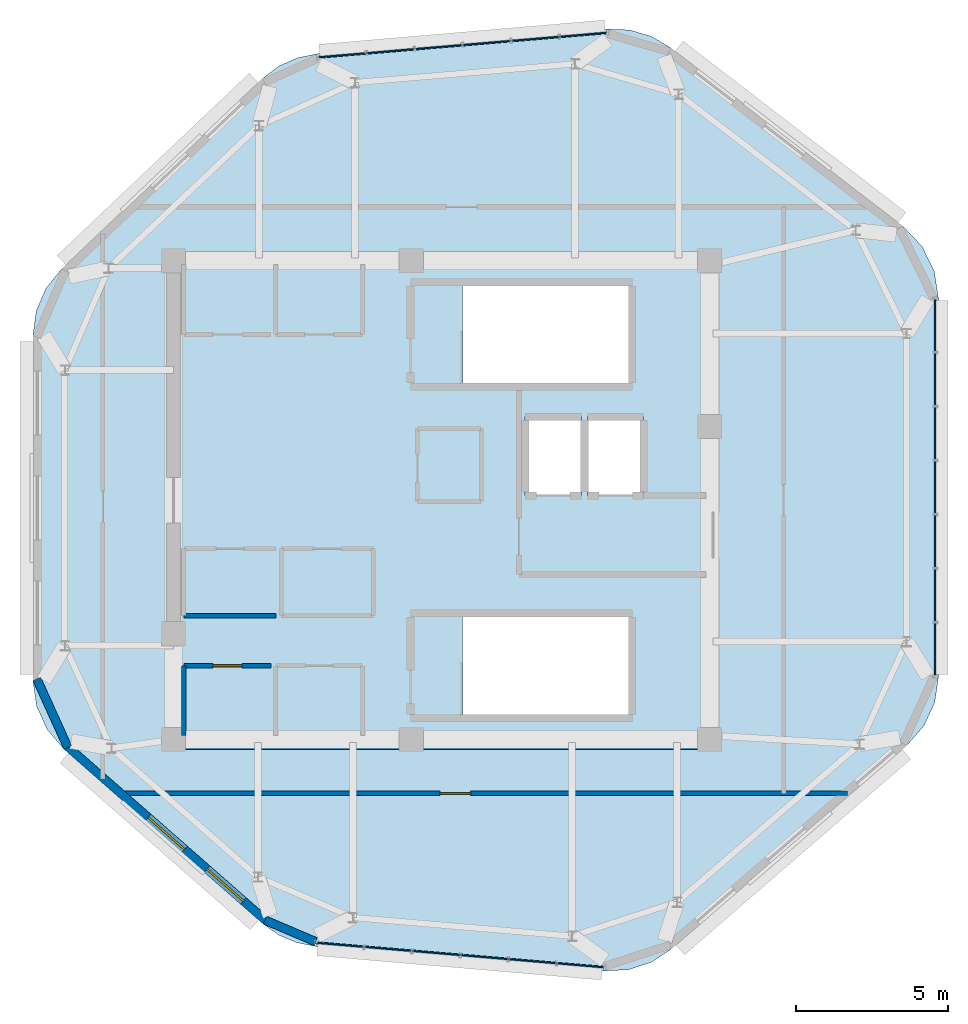
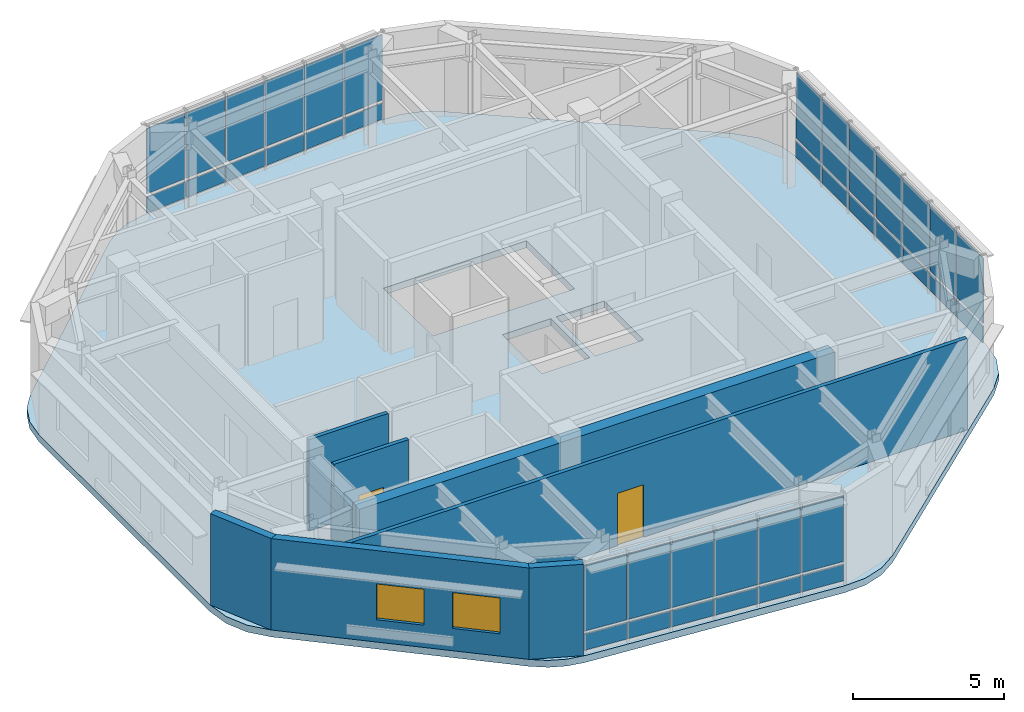
# One storey, part 10 of 13: 38 plates, 8 walls, 2 doors, 2 windows, 1 slab, 4 openings, 3 elements without a shape of their own.
"""IFC4 building model written with IfcOpenShell, lengths in metres."""

from ifc_helpers import new_model, si_unit, direction, frame, frame_2d, origin, origin_2d, place, context, subcontext, project, spatial, polyline, rectangle, outline, extrude, material, layer, layer_set, type_object, element, fill, aggregate, save


model = new_model("IFC4")

# Units and contexts
model_context = context("Model", 3, precision=1e-05, world=origin(), true_north=direction((0.0, 1.0)))
body_context = subcontext(model_context, "Body", "Model", "MODEL_VIEW")
ifc_project = project(units=[si_unit("LENGTHUNIT", "METRE"), si_unit("AREAUNIT", "SQUARE_METRE"), si_unit("VOLUMEUNIT", "CUBIC_METRE"), si_unit("PLANEANGLEUNIT", "RADIAN"), si_unit("MASSUNIT", "GRAM", prefix="KILO")], contexts=[model_context])

# Site, building, storey
site_placement = place(None, origin())
site = spatial("IfcSite", under=ifc_project, at=site_placement, CompositionType="ELEMENT")
building_placement = place(site_placement, origin())
building = spatial("IfcBuilding", under=site, at=building_placement, Name="Zulverin Broadcast Headquarters", CompositionType="ELEMENT")
storey_placement = place(building_placement, frame((0.0, 0.0, 333.39990234375)))
storey = spatial("IfcBuildingStorey", under=building, at=storey_placement, Name="C6", CompositionType="ELEMENT", Elevation=333.39990234375)

# Curtain wall, plates
ifc_material_1 = material(Name="Crown damper-hall structural glass curtain wall", Category="glass")
curtain_wall_type = type_object("IfcCurtainWallType", Name="CW-CRN", PredefinedType="USERDEFINED", material=ifc_material_1)
curtain_wall_1_placement = place(storey_placement, origin())
curtain_wall_1 = element("IfcCurtainWall", 1, at=curtain_wall_1_placement, inside=storey, type_object=curtain_wall_type, Name="C6 Unitised Curtain Wall CW-C6-E1", ObjectType="UNITISED CURTAIN WALL", PredefinedType="USERDEFINED")
ifc_material_2 = material(Name="Low-E double-glazed pale-silver vision glass", Category="glass")
ifc_layer_1 = layer(ifc_material_2, 0.035888671875, Name="Low-E double-glazed pale-silver vision glass", Category="glass")
ifc_layer_set_1 = layer_set([ifc_layer_1], Name="Low-E double-glazed pale-silver vision glass")
plate_type_1 = type_object("IfcPlateType", Name="CW-PNL-GLZ", PredefinedType="CURTAIN_PANEL", material=ifc_layer_set_1)
plate_1_placement = place(storey_placement, frame((36.10400390625, 10.568603515625, 0.9150390625), z_axis=(0.0, 0.0, 1.0), x_axis=(0.996389439284, -0.084900443359, 0.0)))
plate_1 = element("IfcPlate", 2, at=plate_1_placement, type_object=plate_type_1, Name="CW-C6-E1 Vision Panel 00", PredefinedType="CURTAIN_PANEL", context=body_context, shape_type="SweptSolid", body=[
    extrude(rectangle(XDim=1.5478515625, YDim=0.035888671875, at=origin_2d()), origin(), (0.0, 0.0, 1.0), 2.64501953125),
])
plate_2_placement = place(storey_placement, frame((37.68603515625, 10.43359375, 0.9150390625), z_axis=(0.0, 0.0, 1.0), x_axis=(0.996389439284, -0.084900443359, 0.0)))
plate_2 = element("IfcPlate", 3, at=plate_2_placement, type_object=plate_type_1, Name="CW-C6-E1 Vision Panel 01", PredefinedType="CURTAIN_PANEL", context=body_context, shape_type="SweptSolid", body=[
    extrude(rectangle(XDim=1.5478515625, YDim=0.035888671875, at=origin_2d()), origin(), (0.0, 0.0, 1.0), 2.64501953125),
])
plate_3_placement = place(storey_placement, frame((39.268310546875, 10.298828125, 0.9150390625), z_axis=(0.0, 0.0, 1.0), x_axis=(0.996389439284, -0.084900443359, 0.0)))
plate_3 = element("IfcPlate", 4, at=plate_3_placement, type_object=plate_type_1, Name="CW-C6-E1 Vision Panel 02", PredefinedType="CURTAIN_PANEL", context=body_context, shape_type="SweptSolid", body=[
    extrude(rectangle(XDim=1.5478515625, YDim=0.035888671875, at=origin_2d()), origin(), (0.0, 0.0, 1.0), 2.64501953125),
])
plate_4_placement = place(storey_placement, frame((40.8505859375, 10.1640625, 0.9150390625), z_axis=(0.0, 0.0, 1.0), x_axis=(0.996389439284, -0.084900443359, 0.0)))
plate_4 = element("IfcPlate", 5, at=plate_4_placement, type_object=plate_type_1, Name="CW-C6-E1 Vision Panel 03", PredefinedType="CURTAIN_PANEL", context=body_context, shape_type="SweptSolid", body=[
    extrude(rectangle(XDim=1.5478515625, YDim=0.035888671875, at=origin_2d()), origin(), (0.0, 0.0, 1.0), 2.64501953125),
])
plate_5_placement = place(storey_placement, frame((42.432861328125, 10.029296875, 0.9150390625), z_axis=(0.0, 0.0, 1.0), x_axis=(0.996389439284, -0.084900443359, 0.0)))
plate_5 = element("IfcPlate", 6, at=plate_5_placement, type_object=plate_type_1, Name="CW-C6-E1 Vision Panel 04", PredefinedType="CURTAIN_PANEL", context=body_context, shape_type="SweptSolid", body=[
    extrude(rectangle(XDim=1.5478515625, YDim=0.035888671875, at=origin_2d()), origin(), (0.0, 0.0, 1.0), 2.64501953125),
])
plate_6_placement = place(storey_placement, frame((44.014892578125, 9.894287109375, 0.9150390625), z_axis=(0.0, 0.0, 1.0), x_axis=(0.996389439284, -0.084900443359, 0.0)))
plate_6 = element("IfcPlate", 7, at=plate_6_placement, type_object=plate_type_1, Name="CW-C6-E1 Vision Panel 05", PredefinedType="CURTAIN_PANEL", context=body_context, shape_type="SweptSolid", body=[
    extrude(rectangle(XDim=1.5478515625, YDim=0.035888671875, at=origin_2d()), origin(), (0.0, 0.0, 1.0), 2.64501953125),
])

curtain_wall_2_placement = place(storey_placement, origin())
curtain_wall_2 = element("IfcCurtainWall", 8, at=curtain_wall_2_placement, inside=storey, type_object=curtain_wall_type, Name="C6 Unitised Curtain Wall CW-C6-E3", ObjectType="UNITISED CURTAIN WALL", PredefinedType="USERDEFINED")
plate_7_placement = place(storey_placement, frame((55.679931640625, 20.284423828125, 0.9150390625), z_axis=(0.0, 0.0, 1.0), x_axis=(0.0, 1.0, 0.0)))
plate_7 = element("IfcPlate", 9, at=plate_7_placement, type_object=plate_type_1, Name="CW-C6-E3 Vision Panel 00", PredefinedType="CURTAIN_PANEL", context=body_context, shape_type="SweptSolid", body=[
    extrude(rectangle(XDim=1.73681640625, YDim=0.035888671875, at=origin_2d()), origin(), (0.0, 0.0, 1.0), 2.64501953125),
])
plate_8_placement = place(storey_placement, frame((55.679931640625, 22.061279296875, 0.9150390625), z_axis=(0.0, 0.0, 1.0), x_axis=(0.0, 1.0, 0.0)))
plate_8 = element("IfcPlate", 10, at=plate_8_placement, type_object=plate_type_1, Name="CW-C6-E3 Vision Panel 01", PredefinedType="CURTAIN_PANEL", context=body_context, shape_type="SweptSolid", body=[
    extrude(rectangle(XDim=1.73681640625, YDim=0.035888671875, at=origin_2d()), origin(), (0.0, 0.0, 1.0), 2.64501953125),
])
plate_9_placement = place(storey_placement, frame((55.679931640625, 23.838134765625, 0.9150390625), z_axis=(0.0, 0.0, 1.0), x_axis=(0.0, 1.0, 0.0)))
plate_9 = element("IfcPlate", 11, at=plate_9_placement, type_object=plate_type_1, Name="CW-C6-E3 Vision Panel 02", PredefinedType="CURTAIN_PANEL", context=body_context, shape_type="SweptSolid", body=[
    extrude(rectangle(XDim=1.73681640625, YDim=0.035888671875, at=origin_2d()), origin(), (0.0, 0.0, 1.0), 2.64501953125),
])
plate_10_placement = place(storey_placement, frame((55.679931640625, 25.614990234375, 0.9150390625), z_axis=(0.0, 0.0, 1.0), x_axis=(0.0, 1.0, 0.0)))
plate_10 = element("IfcPlate", 12, at=plate_10_placement, type_object=plate_type_1, Name="CW-C6-E3 Vision Panel 03", PredefinedType="CURTAIN_PANEL", context=body_context, shape_type="SweptSolid", body=[
    extrude(rectangle(XDim=1.73681640625, YDim=0.035888671875, at=origin_2d()), origin(), (0.0, 0.0, 1.0), 2.64501953125),
])
plate_11_placement = place(storey_placement, frame((55.679931640625, 27.391845703125, 0.9150390625), z_axis=(0.0, 0.0, 1.0), x_axis=(0.0, 1.0, 0.0)))
plate_11 = element("IfcPlate", 13, at=plate_11_placement, type_object=plate_type_1, Name="CW-C6-E3 Vision Panel 04", PredefinedType="CURTAIN_PANEL", context=body_context, shape_type="SweptSolid", body=[
    extrude(rectangle(XDim=1.73681640625, YDim=0.035888671875, at=origin_2d()), origin(), (0.0, 0.0, 1.0), 2.64501953125),
])
plate_12_placement = place(storey_placement, frame((55.679931640625, 29.168701171875, 0.9150390625), z_axis=(0.0, 0.0, 1.0), x_axis=(0.0, 1.0, 0.0)))
plate_12 = element("IfcPlate", 14, at=plate_12_placement, type_object=plate_type_1, Name="CW-C6-E3 Vision Panel 05", PredefinedType="CURTAIN_PANEL", context=body_context, shape_type="SweptSolid", body=[
    extrude(rectangle(XDim=1.73681640625, YDim=0.035888671875, at=origin_2d()), origin(), (0.0, 0.0, 1.0), 2.64501953125),
])
plate_13_placement = place(storey_placement, frame((55.679931640625, 30.945556640625, 0.9150390625), z_axis=(0.0, 0.0, 1.0), x_axis=(0.0, 1.0, 0.0)))
plate_13 = element("IfcPlate", 15, at=plate_13_placement, type_object=plate_type_1, Name="CW-C6-E3 Vision Panel 06", PredefinedType="CURTAIN_PANEL", context=body_context, shape_type="SweptSolid", body=[
    extrude(rectangle(XDim=1.73681640625, YDim=0.035888671875, at=origin_2d()), origin(), (0.0, 0.0, 1.0), 2.64501953125),
])

curtain_wall_3_placement = place(storey_placement, origin())
curtain_wall_3 = element("IfcCurtainWall", 16, at=curtain_wall_3_placement, inside=storey, type_object=curtain_wall_type, Name="C6 Unitised Curtain Wall CW-C6-E5", ObjectType="UNITISED CURTAIN WALL", PredefinedType="USERDEFINED")
plate_14_placement = place(storey_placement, frame((44.1123046875, 40.513916015625, 0.9150390625), z_axis=(0.0, 0.0, 1.0), x_axis=(-0.996389439284, -0.084900443359, 0.0)))
plate_14 = element("IfcPlate", 17, at=plate_14_placement, type_object=plate_type_1, Name="CW-C6-E5 Vision Panel 00", PredefinedType="CURTAIN_PANEL", context=body_context, shape_type="SweptSolid", body=[
    extrude(rectangle(XDim=1.553955078125, YDim=0.035888671875, at=origin_2d()), origin(), (0.0, 0.0, 1.0), 2.64501953125),
])
plate_15_placement = place(storey_placement, frame((42.52392578125, 40.378662109375, 0.9150390625), z_axis=(0.0, 0.0, 1.0), x_axis=(-0.996389439284, -0.084900443359, 0.0)))
plate_15 = element("IfcPlate", 18, at=plate_15_placement, type_object=plate_type_1, Name="CW-C6-E5 Vision Panel 01", PredefinedType="CURTAIN_PANEL", context=body_context, shape_type="SweptSolid", body=[
    extrude(rectangle(XDim=1.553955078125, YDim=0.035888671875, at=origin_2d()), origin(), (0.0, 0.0, 1.0), 2.64501953125),
])
plate_16_placement = place(storey_placement, frame((40.935791015625, 40.243408203125, 0.9150390625), z_axis=(0.0, 0.0, 1.0), x_axis=(-0.996389439284, -0.084900443359, 0.0)))
plate_16 = element("IfcPlate", 19, at=plate_16_placement, type_object=plate_type_1, Name="CW-C6-E5 Vision Panel 02", PredefinedType="CURTAIN_PANEL", context=body_context, shape_type="SweptSolid", body=[
    extrude(rectangle(XDim=1.553955078125, YDim=0.035888671875, at=origin_2d()), origin(), (0.0, 0.0, 1.0), 2.64501953125),
])
plate_17_placement = place(storey_placement, frame((39.347412109375, 40.10791015625, 0.9150390625), z_axis=(0.0, 0.0, 1.0), x_axis=(-0.996389439284, -0.084900443359, 0.0)))
plate_17 = element("IfcPlate", 20, at=plate_17_placement, type_object=plate_type_1, Name="CW-C6-E5 Vision Panel 03", PredefinedType="CURTAIN_PANEL", context=body_context, shape_type="SweptSolid", body=[
    extrude(rectangle(XDim=1.553955078125, YDim=0.035888671875, at=origin_2d()), origin(), (0.0, 0.0, 1.0), 2.64501953125),
])
plate_18_placement = place(storey_placement, frame((37.759033203125, 39.97265625, 0.9150390625), z_axis=(0.0, 0.0, 1.0), x_axis=(-0.996389439284, -0.084900443359, 0.0)))
plate_18 = element("IfcPlate", 21, at=plate_18_placement, type_object=plate_type_1, Name="CW-C6-E5 Vision Panel 04", PredefinedType="CURTAIN_PANEL", context=body_context, shape_type="SweptSolid", body=[
    extrude(rectangle(XDim=1.553955078125, YDim=0.035888671875, at=origin_2d()), origin(), (0.0, 0.0, 1.0), 2.64501953125),
])
plate_19_placement = place(storey_placement, frame((36.1708984375, 39.83740234375, 0.9150390625), z_axis=(0.0, 0.0, 1.0), x_axis=(-0.996389439284, -0.084900443359, 0.0)))
plate_19 = element("IfcPlate", 22, at=plate_19_placement, type_object=plate_type_1, Name="CW-C6-E5 Vision Panel 05", PredefinedType="CURTAIN_PANEL", context=body_context, shape_type="SweptSolid", body=[
    extrude(rectangle(XDim=1.553955078125, YDim=0.035888671875, at=origin_2d()), origin(), (0.0, 0.0, 1.0), 2.64501953125),
])

# Plate
ifc_material_3 = material(Name="Insulated brushed pale-aluminium spandrel cassette", Category="aluminium")
ifc_layer_2 = layer(ifc_material_3, 0.050048828125, Name="Insulated brushed pale-aluminium spandrel cassette", Category="aluminium")
ifc_layer_set_2 = layer_set([ifc_layer_2], Name="Insulated brushed pale-aluminium spandrel cassette")
plate_type_2 = type_object("IfcPlateType", Name="CW-PNL-SPN", PredefinedType="CURTAIN_PANEL", material=ifc_layer_set_2)
plate_20_placement = place(storey_placement, frame((36.10400390625, 10.568603515625, 0.14013671875), z_axis=(0.0, 0.0, 1.0), x_axis=(0.996389439284, -0.084900443359, 0.0)))
plate_20 = element("IfcPlate", 23, at=plate_20_placement, type_object=plate_type_2, Name="CW-C6-E1 Spandrel Cassette 00", PredefinedType="CURTAIN_PANEL", context=body_context, shape_type="SweptSolid", body=[
    extrude(rectangle(XDim=1.5478515625, YDim=0.050048828125, at=origin_2d()), origin(), (0.0, 0.0, 1.0), 0.64501953125),
])

plate_21_placement = place(storey_placement, frame((37.68603515625, 10.43359375, 0.14013671875), z_axis=(0.0, 0.0, 1.0), x_axis=(0.996389439284, -0.084900443359, 0.0)))
plate_21 = element("IfcPlate", 24, at=plate_21_placement, type_object=plate_type_2, Name="CW-C6-E1 Spandrel Cassette 01", PredefinedType="CURTAIN_PANEL", context=body_context, shape_type="SweptSolid", body=[
    extrude(rectangle(XDim=1.5478515625, YDim=0.050048828125, at=origin_2d()), origin(), (0.0, 0.0, 1.0), 0.64501953125),
])

plate_22_placement = place(storey_placement, frame((39.268310546875, 10.298828125, 0.14013671875), z_axis=(0.0, 0.0, 1.0), x_axis=(0.996389439284, -0.084900443359, 0.0)))
plate_22 = element("IfcPlate", 25, at=plate_22_placement, type_object=plate_type_2, Name="CW-C6-E1 Spandrel Cassette 02", PredefinedType="CURTAIN_PANEL", context=body_context, shape_type="SweptSolid", body=[
    extrude(rectangle(XDim=1.5478515625, YDim=0.050048828125, at=origin_2d()), origin(), (0.0, 0.0, 1.0), 0.64501953125),
])

plate_23_placement = place(storey_placement, frame((40.8505859375, 10.1640625, 0.14013671875), z_axis=(0.0, 0.0, 1.0), x_axis=(0.996389439284, -0.084900443359, 0.0)))
plate_23 = element("IfcPlate", 26, at=plate_23_placement, type_object=plate_type_2, Name="CW-C6-E1 Spandrel Cassette 03", PredefinedType="CURTAIN_PANEL", context=body_context, shape_type="SweptSolid", body=[
    extrude(rectangle(XDim=1.5478515625, YDim=0.050048828125, at=origin_2d()), origin(), (0.0, 0.0, 1.0), 0.64501953125),
])

plate_24_placement = place(storey_placement, frame((42.432861328125, 10.029296875, 0.14013671875), z_axis=(0.0, 0.0, 1.0), x_axis=(0.996389439284, -0.084900443359, 0.0)))
plate_24 = element("IfcPlate", 27, at=plate_24_placement, type_object=plate_type_2, Name="CW-C6-E1 Spandrel Cassette 04", PredefinedType="CURTAIN_PANEL", context=body_context, shape_type="SweptSolid", body=[
    extrude(rectangle(XDim=1.5478515625, YDim=0.050048828125, at=origin_2d()), origin(), (0.0, 0.0, 1.0), 0.64501953125),
])

plate_25_placement = place(storey_placement, frame((44.014892578125, 9.894287109375, 0.14013671875), z_axis=(0.0, 0.0, 1.0), x_axis=(0.996389439284, -0.084900443359, 0.0)))
plate_25 = element("IfcPlate", 28, at=plate_25_placement, type_object=plate_type_2, Name="CW-C6-E1 Spandrel Cassette 05", PredefinedType="CURTAIN_PANEL", context=body_context, shape_type="SweptSolid", body=[
    extrude(rectangle(XDim=1.5478515625, YDim=0.050048828125, at=origin_2d()), origin(), (0.0, 0.0, 1.0), 0.64501953125),
])

aggregate(curtain_wall_1, [plate_20, plate_1, plate_21, plate_2, plate_22, plate_3, plate_23, plate_4, plate_24, plate_5, plate_25, plate_6])

plate_26_placement = place(storey_placement, frame((55.679931640625, 20.284423828125, 0.14013671875), z_axis=(0.0, 0.0, 1.0), x_axis=(0.0, 1.0, 0.0)))
plate_26 = element("IfcPlate", 29, at=plate_26_placement, type_object=plate_type_2, Name="CW-C6-E3 Spandrel Cassette 00", PredefinedType="CURTAIN_PANEL", context=body_context, shape_type="SweptSolid", body=[
    extrude(rectangle(XDim=1.73681640625, YDim=0.050048828125, at=origin_2d()), origin(), (0.0, 0.0, 1.0), 0.64501953125),
])

plate_27_placement = place(storey_placement, frame((55.679931640625, 22.061279296875, 0.14013671875), z_axis=(0.0, 0.0, 1.0), x_axis=(0.0, 1.0, 0.0)))
plate_27 = element("IfcPlate", 30, at=plate_27_placement, type_object=plate_type_2, Name="CW-C6-E3 Spandrel Cassette 01", PredefinedType="CURTAIN_PANEL", context=body_context, shape_type="SweptSolid", body=[
    extrude(rectangle(XDim=1.73681640625, YDim=0.050048828125, at=origin_2d()), origin(), (0.0, 0.0, 1.0), 0.64501953125),
])

plate_28_placement = place(storey_placement, frame((55.679931640625, 23.838134765625, 0.14013671875), z_axis=(0.0, 0.0, 1.0), x_axis=(0.0, 1.0, 0.0)))
plate_28 = element("IfcPlate", 31, at=plate_28_placement, type_object=plate_type_2, Name="CW-C6-E3 Spandrel Cassette 02", PredefinedType="CURTAIN_PANEL", context=body_context, shape_type="SweptSolid", body=[
    extrude(rectangle(XDim=1.73681640625, YDim=0.050048828125, at=origin_2d()), origin(), (0.0, 0.0, 1.0), 0.64501953125),
])

plate_29_placement = place(storey_placement, frame((55.679931640625, 25.614990234375, 0.14013671875), z_axis=(0.0, 0.0, 1.0), x_axis=(0.0, 1.0, 0.0)))
plate_29 = element("IfcPlate", 32, at=plate_29_placement, type_object=plate_type_2, Name="CW-C6-E3 Spandrel Cassette 03", PredefinedType="CURTAIN_PANEL", context=body_context, shape_type="SweptSolid", body=[
    extrude(rectangle(XDim=1.73681640625, YDim=0.050048828125, at=origin_2d()), origin(), (0.0, 0.0, 1.0), 0.64501953125),
])

plate_30_placement = place(storey_placement, frame((55.679931640625, 27.391845703125, 0.14013671875), z_axis=(0.0, 0.0, 1.0), x_axis=(0.0, 1.0, 0.0)))
plate_30 = element("IfcPlate", 33, at=plate_30_placement, type_object=plate_type_2, Name="CW-C6-E3 Spandrel Cassette 04", PredefinedType="CURTAIN_PANEL", context=body_context, shape_type="SweptSolid", body=[
    extrude(rectangle(XDim=1.73681640625, YDim=0.050048828125, at=origin_2d()), origin(), (0.0, 0.0, 1.0), 0.64501953125),
])

plate_31_placement = place(storey_placement, frame((55.679931640625, 29.168701171875, 0.14013671875), z_axis=(0.0, 0.0, 1.0), x_axis=(0.0, 1.0, 0.0)))
plate_31 = element("IfcPlate", 34, at=plate_31_placement, type_object=plate_type_2, Name="CW-C6-E3 Spandrel Cassette 05", PredefinedType="CURTAIN_PANEL", context=body_context, shape_type="SweptSolid", body=[
    extrude(rectangle(XDim=1.73681640625, YDim=0.050048828125, at=origin_2d()), origin(), (0.0, 0.0, 1.0), 0.64501953125),
])

plate_32_placement = place(storey_placement, frame((55.679931640625, 30.945556640625, 0.14013671875), z_axis=(0.0, 0.0, 1.0), x_axis=(0.0, 1.0, 0.0)))
plate_32 = element("IfcPlate", 35, at=plate_32_placement, type_object=plate_type_2, Name="CW-C6-E3 Spandrel Cassette 06", PredefinedType="CURTAIN_PANEL", context=body_context, shape_type="SweptSolid", body=[
    extrude(rectangle(XDim=1.73681640625, YDim=0.050048828125, at=origin_2d()), origin(), (0.0, 0.0, 1.0), 0.64501953125),
])

aggregate(curtain_wall_2, [plate_26, plate_7, plate_27, plate_8, plate_28, plate_9, plate_29, plate_10, plate_30, plate_11, plate_31, plate_12, plate_32, plate_13])

plate_33_placement = place(storey_placement, frame((44.1123046875, 40.513916015625, 0.14013671875), z_axis=(0.0, 0.0, 1.0), x_axis=(-0.996389439284, -0.084900443359, 0.0)))
plate_33 = element("IfcPlate", 36, at=plate_33_placement, type_object=plate_type_2, Name="CW-C6-E5 Spandrel Cassette 00", PredefinedType="CURTAIN_PANEL", context=body_context, shape_type="SweptSolid", body=[
    extrude(rectangle(XDim=1.553955078125, YDim=0.050048828125, at=origin_2d()), origin(), (0.0, 0.0, 1.0), 0.64501953125),
])

plate_34_placement = place(storey_placement, frame((42.52392578125, 40.378662109375, 0.14013671875), z_axis=(0.0, 0.0, 1.0), x_axis=(-0.996389439284, -0.084900443359, 0.0)))
plate_34 = element("IfcPlate", 37, at=plate_34_placement, type_object=plate_type_2, Name="CW-C6-E5 Spandrel Cassette 01", PredefinedType="CURTAIN_PANEL", context=body_context, shape_type="SweptSolid", body=[
    extrude(rectangle(XDim=1.553955078125, YDim=0.050048828125, at=origin_2d()), origin(), (0.0, 0.0, 1.0), 0.64501953125),
])

plate_35_placement = place(storey_placement, frame((40.935791015625, 40.243408203125, 0.14013671875), z_axis=(0.0, 0.0, 1.0), x_axis=(-0.996389439284, -0.084900443359, 0.0)))
plate_35 = element("IfcPlate", 38, at=plate_35_placement, type_object=plate_type_2, Name="CW-C6-E5 Spandrel Cassette 02", PredefinedType="CURTAIN_PANEL", context=body_context, shape_type="SweptSolid", body=[
    extrude(rectangle(XDim=1.553955078125, YDim=0.050048828125, at=origin_2d()), origin(), (0.0, 0.0, 1.0), 0.64501953125),
])

plate_36_placement = place(storey_placement, frame((39.347412109375, 40.10791015625, 0.14013671875), z_axis=(0.0, 0.0, 1.0), x_axis=(-0.996389439284, -0.084900443359, 0.0)))
plate_36 = element("IfcPlate", 39, at=plate_36_placement, type_object=plate_type_2, Name="CW-C6-E5 Spandrel Cassette 03", PredefinedType="CURTAIN_PANEL", context=body_context, shape_type="SweptSolid", body=[
    extrude(rectangle(XDim=1.553955078125, YDim=0.050048828125, at=origin_2d()), origin(), (0.0, 0.0, 1.0), 0.64501953125),
])

plate_37_placement = place(storey_placement, frame((37.759033203125, 39.97265625, 0.14013671875), z_axis=(0.0, 0.0, 1.0), x_axis=(-0.996389439284, -0.084900443359, 0.0)))
plate_37 = element("IfcPlate", 40, at=plate_37_placement, type_object=plate_type_2, Name="CW-C6-E5 Spandrel Cassette 04", PredefinedType="CURTAIN_PANEL", context=body_context, shape_type="SweptSolid", body=[
    extrude(rectangle(XDim=1.553955078125, YDim=0.050048828125, at=origin_2d()), origin(), (0.0, 0.0, 1.0), 0.64501953125),
])

plate_38_placement = place(storey_placement, frame((36.1708984375, 39.83740234375, 0.14013671875), z_axis=(0.0, 0.0, 1.0), x_axis=(-0.996389439284, -0.084900443359, 0.0)))
plate_38 = element("IfcPlate", 41, at=plate_38_placement, type_object=plate_type_2, Name="CW-C6-E5 Spandrel Cassette 05", PredefinedType="CURTAIN_PANEL", context=body_context, shape_type="SweptSolid", body=[
    extrude(rectangle(XDim=1.553955078125, YDim=0.050048828125, at=origin_2d()), origin(), (0.0, 0.0, 1.0), 0.64501953125),
])

aggregate(curtain_wall_3, [plate_33, plate_14, plate_34, plate_15, plate_35, plate_16, plate_36, plate_17, plate_37, plate_18, plate_38, plate_19])

# Slab
ifc_material_4 = material(Name="Concrete C40/50", Category="concrete")
ifc_layer_3 = layer(ifc_material_4, 0.280029296875, Name="Concrete C40/50", Category="concrete")
ifc_layer_set_3 = layer_set([ifc_layer_3], Name="Concrete C40/50")
slab_type = type_object("IfcSlabType", Name="SLB-CRN-280", PredefinedType="FLOOR", material=ifc_layer_set_3)
slab_placement = place(storey_placement, frame((0.0, 0.0, -0.27978515625)))
element("IfcSlab", 42, at=slab_placement, inside=storey, type_object=slab_type, Name="C6 Main Structural Floor Slab", PredefinedType="FLOOR", context=body_context, shape_type="SweptSolid", body=[
    extrude(outline(polyline([(33.57861328125, 11.25048828125), (34.0966796875, 10.885009765625), (34.68017578125, 10.63671875), (35.302490234375, 10.516357421875), (44.7958984375, 9.70751953125), (45.590576171875, 9.74560546875), (46.34716796875, 9.9912109375), (47.0126953125, 10.427001953125), (54.761962890625, 17.126708984375), (55.322509765625, 17.772216796875), (55.67822265625, 18.5498046875), (55.800048828125, 19.39599609375), (55.800048828125, 31.833984375), (55.661376953125, 32.7353515625), (55.25830078125, 33.553466796875), (54.6279296875, 34.212646484375), (46.97900390625, 40.0908203125), (46.342529296875, 40.465087890625), (45.634033203125, 40.6728515625), (44.896240234375, 40.701171875), (35.366455078125, 39.88916015625), (34.70751953125, 39.757568359375), (34.09423828125, 39.482421875), (33.5576171875, 39.07763671875), (26.9365234375, 32.803466796875), (26.42919921875, 32.172119140625), (26.109375, 31.42822265625), (26.0, 30.625732421875), (26.0, 19.2587890625), (26.119873046875, 18.419677734375), (26.469482421875, 17.6474609375), (27.021484375, 17.00390625), (33.57861328125, 11.25048828125)]), holes=[polyline([(40.155029296875, 30.75), (40.13037109375, 30.75), (40.13037109375, 32.25), (45.60009765625, 32.25), (45.60009765625, 29.050048828125), (40.155029296875, 29.050048828125), (40.155029296875, 30.75)]), polyline([(40.155029296875, 19.85009765625), (40.13037109375, 19.85009765625), (40.13037109375, 21.35009765625), (45.60009765625, 21.35009765625), (45.60009765625, 18.14990234375), (40.155029296875, 18.14990234375), (40.155029296875, 19.85009765625)]), polyline([(42.199951171875, 25.35009765625), (44.050048828125, 25.35009765625), (44.050048828125, 27.949951171875), (42.199951171875, 27.949951171875), (42.199951171875, 25.35009765625)]), polyline([(44.25, 25.35009765625), (46.10009765625, 25.35009765625), (46.10009765625, 27.949951171875), (44.25, 27.949951171875), (44.25, 25.35009765625)])]), origin(), (0.0, 0.0, 1.0), 0.27978515625),
])

# Wall
ifc_material_5 = material(Name="Concrete C50/60", Category="concrete")
ifc_layer_4 = layer(ifc_material_5, 0.449951171875, Name="Concrete C50/60", Category="concrete")
ifc_layer_set_4 = layer_set([ifc_layer_4], Name="Concrete C50/60")
wall_type_1 = type_object("IfcWallType", Name="WL-CORE-450", PredefinedType="SHEAR", material=ifc_layer_set_4)
wall_1_placement = place(storey_placement, frame((30.39990234375, 17.22509765625, 0.0), z_axis=(0.0, 0.0, 1.0), x_axis=(1.0, 0.0, 0.0)))
element("IfcWall", 43, at=wall_1_placement, inside=storey, type_object=wall_type_1, Name="C6 Core South Shear Wall", PredefinedType="SHEAR", context=body_context, shape_type="SweptSolid", body=[
    extrude(rectangle(XDim=18.2001953125, YDim=0.449951171875, at=frame_2d((9.10009765625, 0.0))), origin(), (0.0, 0.0, 1.0), 3.7001953125),
])

# Wall, openings, windows
ifc_material_6 = material(Name="Insulated pale-metal clad concrete spandrel C40/50", Category="concrete")
ifc_layer_5 = layer(ifc_material_6, 0.280029296875, Name="Insulated pale-metal clad concrete spandrel C40/50", Category="concrete")
ifc_layer_set_5 = layer_set([ifc_layer_5], Name="Insulated pale-metal clad concrete spandrel C40/50")
wall_type_2 = type_object("IfcWallType", Name="WL-EXT-280", PredefinedType="STANDARD", material=ifc_layer_set_5)
wall_2_placement = place(storey_placement, frame((27.11376953125, 17.10888671875, 0.0), z_axis=(0.0, 0.0, 1.0), x_axis=(0.751684867815, -0.659522448062, 0.0)))
wall_2 = element("IfcWall", 44, at=wall_2_placement, inside=storey, type_object=wall_type_2, Name="C6 Pale-Metal Clad Spandrel Wall 8", PredefinedType="STANDARD", context=body_context, shape_type="SweptSolid", body=[
    extrude(rectangle(XDim=8.72314453125, YDim=0.280029296875, at=frame_2d((4.361572265625, 0.0))), origin(), (0.0, 0.0, 1.0), 3.7001953125),
])
opening_1_placement = place(wall_2_placement, frame((3.561767578125, 0.0, 0.89990234375)))
opening_1 = element("IfcOpeningElement", 45, at=opening_1_placement, cuts=wall_2, Name="Opening W-C6-E81", PredefinedType="OPENING", context=body_context, shape_type="SweptSolid", body=[
    extrude(rectangle(XDim=1.60009765625, YDim=1.449951171875, at=frame_2d((0.800048828125, 0.72509765625))), frame((0.0, 0.14990234375, 0.0), z_axis=(0.0, -1.0, 0.0), x_axis=(1.0, 0.0, 0.0)), (0.0, 0.0, 1.0), 0.300048828125),
])
opening_2_placement = place(wall_2_placement, frame((6.13623046875, 0.0, 0.89990234375)))
opening_2 = element("IfcOpeningElement", 46, at=opening_2_placement, cuts=wall_2, Name="Opening W-C6-E82", PredefinedType="OPENING", context=body_context, shape_type="SweptSolid", body=[
    extrude(rectangle(XDim=1.60009765625, YDim=1.449951171875, at=frame_2d((0.800048828125, 0.72509765625))), frame((0.0, 0.14990234375, 0.0), z_axis=(0.0, -1.0, 0.0), x_axis=(1.0, 0.0, 0.0)), (0.0, 0.0, 1.0), 0.300048828125),
])
ifc_material_7 = material(Name="Pale anodized aluminium frame with solar-control low-E double glazing", Category="aluminium")
window_type = type_object("IfcWindowType", Name="WIN-CRN-1600", PartitioningType="SINGLE_PANEL", PredefinedType="WINDOW", material=ifc_material_7)
window_1_placement = place(opening_1_placement, origin())
window_1 = element("IfcWindow", 47, at=window_1_placement, inside=storey, type_object=window_type, Name="C6 Ribbon Glazing Window 8 1", OverallHeight=1.449951171875, OverallWidth=1.60009765625, PartitioningType="SINGLE_PANEL", PredefinedType="WINDOW", context=body_context, shape_type="SweptSolid", body=[
    extrude(rectangle(XDim=1.60009765625, YDim=1.449951171875, at=frame_2d((0.800048828125, 0.72509765625))), frame((0.0, 0.030029296875, 0.0), z_axis=(0.0, -1.0, 0.0), x_axis=(1.0, 0.0, 0.0)), (0.0, 0.0, 1.0), 0.06005859375),
])
fill(opening_1, window_1)
window_2_placement = place(opening_2_placement, origin())
window_2 = element("IfcWindow", 48, at=window_2_placement, inside=storey, type_object=window_type, Name="C6 Ribbon Glazing Window 8 2", OverallHeight=1.449951171875, OverallWidth=1.60009765625, PartitioningType="SINGLE_PANEL", PredefinedType="WINDOW", context=body_context, shape_type="SweptSolid", body=[
    extrude(rectangle(XDim=1.60009765625, YDim=1.449951171875, at=frame_2d((0.800048828125, 0.72509765625))), frame((0.0, 0.030029296875, 0.0), z_axis=(0.0, -1.0, 0.0), x_axis=(1.0, 0.0, 0.0)), (0.0, 0.0, 1.0), 0.06005859375),
])
fill(opening_2, window_2)

# Walls
wall_3_placement = place(storey_placement, frame((26.12744140625, 19.316650390625, 0.0), z_axis=(0.0, 0.0, 1.0), x_axis=(0.412606370101, -0.910909426536, 0.0)))
element("IfcWall", 49, at=wall_3_placement, inside=storey, type_object=wall_type_2, Name="C6 Wind-Shaped Corner Spandrel Wall 7-1", PredefinedType="STANDARD", context=body_context, shape_type="SweptSolid", body=[
    extrude(rectangle(XDim=2.4755859375, YDim=0.280029296875, at=frame_2d((1.23779296875, 0.0))), origin(), (0.0, 0.0, 1.0), 3.7001953125),
])
wall_4_placement = place(storey_placement, frame((33.633544921875, 11.379150390625, 0.0), z_axis=(0.0, 0.0, 1.0), x_axis=(0.920078043788, -0.391735106085, 0.0)))
element("IfcWall", 50, at=wall_4_placement, inside=storey, type_object=wall_type_2, Name="C6 Wind-Shaped Corner Spandrel Wall 8-1", PredefinedType="STANDARD", context=body_context, shape_type="SweptSolid", body=[
    extrude(rectangle(XDim=1.80859375, YDim=0.280029296875, at=frame_2d((0.904296875, 0.0))), origin(), (0.0, 0.0, 1.0), 3.7001953125),
])

# Wall, opening, door
ifc_material_8 = material(Name="Fire-rated gypsum stud partition", Category="gypsum")
ifc_layer_6 = layer(ifc_material_8, 0.14990234375, Name="Fire-rated gypsum stud partition", Category="gypsum")
ifc_layer_set_6 = layer_set([ifc_layer_6], Name="Fire-rated gypsum stud partition")
wall_type_3 = type_object("IfcWallType", Name="WL-PART-150", PredefinedType="PARTITIONING", material=ifc_layer_set_6)
wall_5_placement = place(storey_placement, frame((30.969970703125, 19.75, 0.0), z_axis=(0.0, 0.0, 1.0), x_axis=(1.0, 0.0, 0.0)))
wall_5 = element("IfcWall", 51, at=wall_5_placement, inside=storey, type_object=wall_type_3, Name="C6 Core Female WC Front Wall", PredefinedType="PARTITIONING", context=body_context, shape_type="SweptSolid", body=[
    extrude(rectangle(XDim=2.860107421875, YDim=0.14990234375, at=frame_2d((1.43017578125, 0.0))), origin(), (0.0, 0.0, 1.0), 3.7001953125),
])
opening_3_placement = place(wall_5_placement, frame((0.955078125, 0.0, 0.0)))
opening_3 = element("IfcOpeningElement", 52, at=opening_3_placement, cuts=wall_5, Name="Opening D-C6-SC1", PredefinedType="OPENING", context=body_context, shape_type="SweptSolid", body=[
    extrude(rectangle(XDim=0.949951171875, YDim=2.10009765625, at=frame_2d((0.47509765625, 1.050048828125))), frame((0.0, 0.0849609375, 0.0), z_axis=(0.0, -1.0, 0.0), x_axis=(1.0, 0.0, 0.0)), (0.0, 0.0, 1.0), 0.169921875),
])
ifc_material_9 = material(Name="Fire-rated moisture-resistant laminate leaf", Category="wood")
door_type_1 = type_object("IfcDoorType", Name="DR-WC-950", OperationType="SINGLE_SWING_LEFT", PredefinedType="DOOR", material=ifc_material_9)
door_1_placement = place(opening_3_placement, origin())
door_1 = element("IfcDoor", 53, at=door_1_placement, inside=storey, type_object=door_type_1, Name="C6 Female WC Door", OperationType="SINGLE_SWING_RIGHT", OverallHeight=2.10009765625, OverallWidth=0.949951171875, PredefinedType="DOOR", context=body_context, shape_type="SweptSolid", body=[
    extrude(rectangle(XDim=0.949951171875, YDim=2.10009765625, at=frame_2d((0.47509765625, 1.050048828125))), frame((0.0, 0.02490234375, 0.0), z_axis=(0.0, -1.0, 0.0), x_axis=(1.0, 0.0, 0.0)), (0.0, 0.0, 1.0), 0.050048828125),
])
fill(opening_3, door_1)

# Walls
wall_6_placement = place(storey_placement, frame((30.969970703125, 17.449951171875, 0.0), z_axis=(0.0, 0.0, 1.0), x_axis=(0.0, 1.0, 0.0)))
element("IfcWall", 54, at=wall_6_placement, inside=storey, type_object=wall_type_3, Name="C6 Core Female WC West Wall", PredefinedType="PARTITIONING", context=body_context, shape_type="SweptSolid", body=[
    extrude(rectangle(XDim=2.300048828125, YDim=0.14990234375, at=frame_2d((1.14990234375, 0.0))), origin(), (0.0, 0.0, 1.0), 2.800048828125),
])
wall_7_placement = place(storey_placement, frame((30.969970703125, 21.39990234375, 0.0), z_axis=(0.0, 0.0, 1.0), x_axis=(1.0, 0.0, 0.0)))
element("IfcWall", 55, at=wall_7_placement, inside=storey, type_object=wall_type_3, Name="C6 Crown Mechanical Riser Room S Wall", PredefinedType="PARTITIONING", context=body_context, shape_type="SweptSolid", body=[
    extrude(rectangle(XDim=3.034912109375, YDim=0.14990234375, at=frame_2d((1.517578125, 0.0))), origin(), (0.0, 0.0, 1.0), 3.7001953125),
])

# Wall, opening, door
wall_8_placement = place(storey_placement, frame((28.818359375, 15.550048828125, 0.0), z_axis=(0.0, 0.0, 1.0), x_axis=(1.0, 0.0, 0.0)))
wall_8 = element("IfcWall", 56, at=wall_8_placement, inside=storey, type_object=wall_type_3, Name="C6 Gallery Partition Wall CG-03", PredefinedType="PARTITIONING", context=body_context, shape_type="SweptSolid", body=[
    extrude(rectangle(XDim=23.97998046875, YDim=0.14990234375, at=frame_2d((11.989990234375, 0.0))), origin(), (0.0, 0.0, 1.0), 3.7001953125),
])
opening_4_placement = place(wall_8_placement, frame((10.583251953125, 0.0, 0.0)))
opening_4 = element("IfcOpeningElement", 57, at=opening_4_placement, cuts=wall_8, Name="Opening D-C6-CR4", PredefinedType="OPENING", context=body_context, shape_type="SweptSolid", body=[
    extrude(rectangle(XDim=1.0, YDim=2.1201171875, at=frame_2d((0.5, 1.06005859375))), frame((0.0, 0.0849609375, 0.0), z_axis=(0.0, -1.0, 0.0), x_axis=(1.0, 0.0, 0.0)), (0.0, 0.0, 1.0), 0.169921875),
])
ifc_material_10 = material(Name="Hardwood veneer acoustic leaf", Category="wood")
door_type_2 = type_object("IfcDoorType", Name="DR-OFF-1000", OperationType="SINGLE_SWING_LEFT", PredefinedType="DOOR", material=ifc_material_10)
door_2_placement = place(opening_4_placement, origin())
door_2 = element("IfcDoor", 58, at=door_2_placement, inside=storey, type_object=door_type_2, Name="C6 Microwave & Satellite Link Plant Room Door", OperationType="SINGLE_SWING_RIGHT", OverallHeight=2.1201171875, OverallWidth=1.0, PredefinedType="DOOR", context=body_context, shape_type="SweptSolid", body=[
    extrude(rectangle(XDim=1.0, YDim=2.1201171875, at=frame_2d((0.5, 1.06005859375))), frame((0.0, 0.02490234375, 0.0), z_axis=(0.0, -1.0, 0.0), x_axis=(1.0, 0.0, 0.0)), (0.0, 0.0, 1.0), 0.050048828125),
])
fill(opening_4, door_2)

save(model, "model.ifc")
